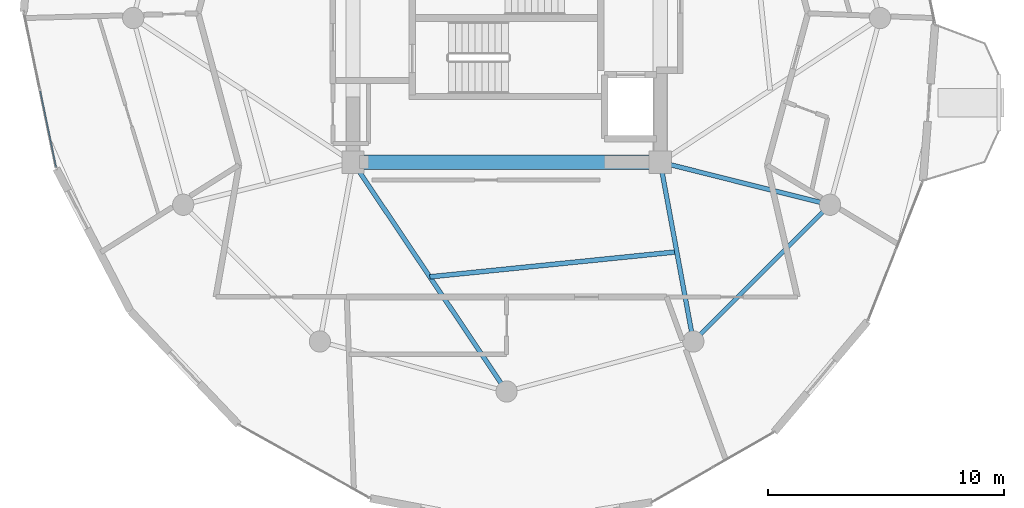
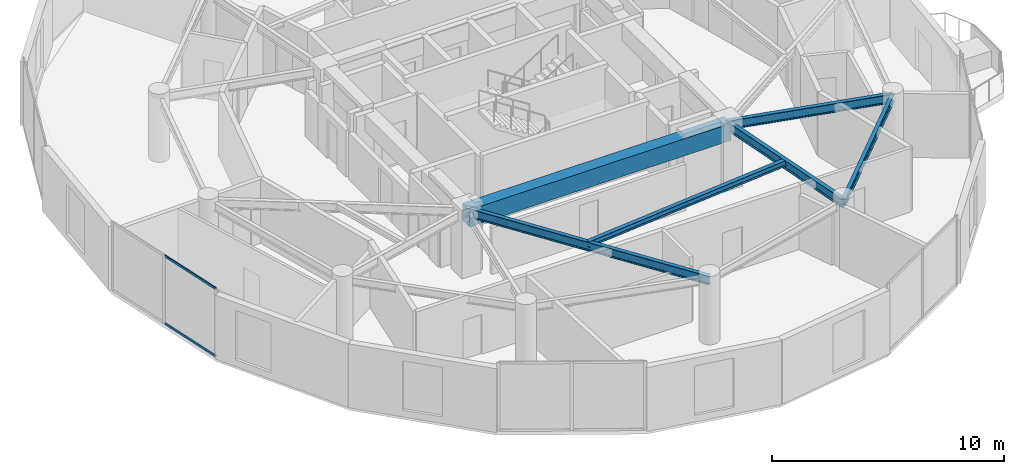
# One storey, part 6 of 21: 6 beams, 2 members, 1 element without a shape of its own.
"""IFC4 building model written with IfcOpenShell, lengths in metres."""

from ifc_helpers import new_model, si_unit, direction, frame, origin, origin_2d, place, context, subcontext, project, spatial, rectangle, hollow_rectangle, i_section, extrude, source, transform, mapped, material, layer, layer_set, material_profile, profile_set, type_object, element, aggregate, save


model = new_model("IFC4")

# Units and contexts
model_context = context("Model", 3, precision=1e-05, world=origin(), true_north=direction((0.0, 1.0)))
body_context = subcontext(model_context, "Body", "Model", "MODEL_VIEW")
ifc_project = project(units=[si_unit("LENGTHUNIT", "METRE"), si_unit("AREAUNIT", "SQUARE_METRE"), si_unit("VOLUMEUNIT", "CUBIC_METRE"), si_unit("PLANEANGLEUNIT", "RADIAN"), si_unit("MASSUNIT", "GRAM", prefix="KILO")], contexts=[model_context])

# Site, building, storey
site_placement = place(None, origin())
site = spatial("IfcSite", under=ifc_project, at=site_placement, CompositionType="ELEMENT")
building_placement = place(site_placement, origin())
building = spatial("IfcBuilding", under=site, at=building_placement, Name="Solvirekh Grand Hotel", CompositionType="ELEMENT")
storey_placement = place(building_placement, frame((0.0, 0.0, 220.0)))
storey = spatial("IfcBuildingStorey", under=building, at=storey_placement, Name="L57", CompositionType="ELEMENT", Elevation=220.0)

# Beams
ifc_material_1 = material(Name="Concrete C50/60", Category="concrete")
ifc_material_profile_1 = material_profile(ifc_material_1, rectangle(XDim=0.60009765625, YDim=0.89990234375, at=origin_2d()), Name="RC BEAM 600X900")
ifc_profile_set_1 = profile_set([ifc_material_profile_1], Name="Concrete C50/60")
beam_type_1 = type_object("IfcBeamType", Name="Beam_Core_RC900", PredefinedType="BEAM", material=ifc_profile_set_1)
beam_1_placement = place(storey_placement, frame((-6.5, -6.10009765625, 2.909912109375), z_axis=(1.0, 0.0, 0.0), x_axis=(0.0, 1.0, 0.0)))
element("IfcBeam", 1, at=beam_1_placement, inside=storey, type_object=beam_type_1, Name="L57 core coupling ring beam 1", PredefinedType="BEAM", context=body_context, shape_type="SweptSolid", body=[
    extrude(rectangle(XDim=0.60009765625, YDim=0.89990234375, at=origin_2d()), origin(), (0.0, 0.0, 1.0), 13.0),
])
ifc_material_2 = material(Name="Steel S355", Category="steel")
ifc_material_profile_2 = material_profile(ifc_material_2, i_section(OverallWidth=0.194091796875, OverallDepth=0.468994140625, WebThickness=0.010986328125, FlangeThickness=0.01904296875, FilletRadius=0.012939453125, at=origin_2d()), Name="W460X106")
ifc_profile_set_2 = profile_set([ifc_material_profile_2], Name="Steel S355")
beam_type_2 = type_object("IfcBeamType", Name="Beam_Radial_W460H", PredefinedType="BEAM", material=ifc_profile_set_2)
beam_2_placement = place(storey_placement, frame((-6.5, -6.10009765625, 3.1259765625), z_axis=(0.556676926176, -0.830729077295, 0.0), x_axis=(0.830729077295, 0.556676926176, 0.0)))
element("IfcBeam", 2, at=beam_2_placement, inside=storey, type_object=beam_type_2, Name="L57 radial floor beam R10", PredefinedType="BEAM", context=body_context, shape_type="SweptSolid", body=[
    extrude(i_section(OverallWidth=0.194091796875, OverallDepth=0.468994140625, WebThickness=0.010986328125, FlangeThickness=0.01904296875, FilletRadius=0.012939453125, at=origin_2d()), origin(), (0.0, 0.0, 1.0), 11.676513671875),
])
beam_3_placement = place(storey_placement, frame((6.5, -6.10009765625, 3.1259765625), z_axis=(0.181542769111, -0.983383049978, 0.0), x_axis=(0.983383049978, 0.181542769111, 0.0)))
element("IfcBeam", 3, at=beam_3_placement, inside=storey, type_object=beam_type_2, Name="L57 radial floor beam R11", PredefinedType="BEAM", context=body_context, shape_type="SweptSolid", body=[
    extrude(i_section(OverallWidth=0.194091796875, OverallDepth=0.468994140625, WebThickness=0.010986328125, FlangeThickness=0.01904296875, FilletRadius=0.012939453125, at=origin_2d()), origin(), (0.0, 0.0, 1.0), 7.711181640625),
])
beam_4_placement = place(storey_placement, frame((6.5, -6.10009765625, 3.1259765625), z_axis=(0.970014367692, -0.243047580675, 0.0), x_axis=(0.243047580675, 0.970014367692, 0.0)))
element("IfcBeam", 4, at=beam_4_placement, inside=storey, type_object=beam_type_2, Name="L57 radial floor beam R12", PredefinedType="BEAM", context=body_context, shape_type="SweptSolid", body=[
    extrude(i_section(OverallWidth=0.194091796875, OverallDepth=0.468994140625, WebThickness=0.010986328125, FlangeThickness=0.01904296875, FilletRadius=0.012939453125, at=origin_2d()), origin(), (0.0, 0.0, 1.0), 7.4052734375),
])
ifc_material_profile_3 = material_profile(ifc_material_2, i_section(OverallWidth=0.202880859375, OverallDepth=0.302978515625, WebThickness=0.008056640625, FlangeThickness=0.012939453125, FilletRadius=0.010009765625, at=origin_2d()), Name="W310X60")
ifc_profile_set_3 = profile_set([ifc_material_profile_3], Name="Steel S355")
beam_type_3 = type_object("IfcBeamType", Name="Joist_Floor_W310", PredefinedType="JOIST", material=ifc_profile_set_3)
beam_5_placement = place(storey_placement, frame((-3.25, -10.949951171875, 3.208984375), z_axis=(0.994915167737, 0.100716478326, 0.0), x_axis=(-0.100716478326, 0.994915167737, 0.0)))
element("IfcBeam", 5, at=beam_5_placement, inside=storey, type_object=beam_type_3, Name="L57 secondary composite floor joist 10", PredefinedType="JOIST", context=body_context, shape_type="SweptSolid", body=[
    extrude(i_section(OverallWidth=0.202880859375, OverallDepth=0.302978515625, WebThickness=0.008056640625, FlangeThickness=0.012939453125, FilletRadius=0.010009765625, at=origin_2d()), origin(), (0.0, 0.0, 1.0), 10.50341796875),
])
ifc_material_profile_4 = material_profile(ifc_material_2, i_section(OverallWidth=0.180908203125, OverallDepth=0.4169921875, WebThickness=0.010009765625, FlangeThickness=0.01611328125, FilletRadius=0.011962890625, at=origin_2d()), Name="W410X85")
ifc_profile_set_4 = profile_set([ifc_material_profile_4], Name="Steel S355")
beam_type_4 = type_object("IfcBeamType", Name="Spandrel_Ring_W410", PredefinedType="SPANDREL", material=ifc_profile_set_4)
beam_6_placement = place(storey_placement, frame((7.89990234375, -13.68310546875, 3.152099609375), z_axis=(0.707106781187, 0.707106781187, 0.0), x_axis=(-0.707106781187, 0.707106781187, 0.0)))
element("IfcBeam", 6, at=beam_6_placement, inside=storey, type_object=beam_type_4, Name="L57 perimeter spandrel beam 11", PredefinedType="SPANDREL", context=body_context, shape_type="SweptSolid", body=[
    extrude(i_section(OverallWidth=0.180908203125, OverallDepth=0.4169921875, WebThickness=0.010009765625, FlangeThickness=0.01611328125, FilletRadius=0.011962890625, at=origin_2d()), origin(), (0.0, 0.0, 1.0), 8.1787109375),
])

# Curtain wall, members
ifc_material_3 = material(Name="Anodized Bronze Aluminium 6063-T6", Category="aluminium")
ifc_layer = layer(ifc_material_3, 0.159912109375)
ifc_layer_set = layer_set([ifc_layer], Name="Anodized Bronze Aluminium 6063-T6")
curtain_wall_type = type_object("IfcCurtainWallType", Name="CW_Sys4_HighZoneFlushBronzeCW", PredefinedType="NOTDEFINED", material=ifc_layer_set)
curtain_wall_placement = place(storey_placement, origin())
curtain_wall = element("IfcCurtainWall", 7, at=curtain_wall_placement, inside=storey, type_object=curtain_wall_type, Name="L57 unitised bronze-glass curtain wall CW-L57-C15", PredefinedType="NOTDEFINED")
ifc_material_profile_5 = material_profile(ifc_material_3, hollow_rectangle(XDim=0.054931640625, YDim=0.1201171875, WallThickness=0.00390625, at=origin_2d()), Name="ALU RHS 120X55X4")
ifc_profile_set_5 = profile_set([ifc_material_profile_5], Name="Anodized Bronze Aluminium 6063-T6")
member_type = type_object("IfcMemberType", Name="CWTransom_Sys4", PredefinedType="USERDEFINED", material=ifc_profile_set_5)
shared_shape = source(origin(), body_context, "Body", "SweptSolid", [
    extrude(hollow_rectangle(XDim=0.054931640625, YDim=0.1201171875, WallThickness=0.00390625, at=origin_2d()), origin(), (0.0, 0.0, 1.0), 3.302734375),
])
member_1_placement = place(storey_placement, frame((-19.732421875, -3.081298828125, 0.027587890625), z_axis=(0.20320442284, -0.979136335011, 0.0), x_axis=(0.979136335011, 0.20320442284, 0.0)))
member_1 = element("IfcMember", 8, at=member_1_placement, type_object=member_type, Name="U04 transom 2.1", ObjectType="TRANSOM", PredefinedType="USERDEFINED", context=body_context, shape_type="MappedRepresentation", body=[
    mapped(shared_shape, transform((0.0, 0.0, 0.0), x_axis=(1.0, 0.0, 0.0), y_axis=(0.0, 1.0, 0.0), z_axis=(0.0, 0.0, 1.0), scale=1.0)),
])
member_2_placement = place(storey_placement, frame((-19.732421875, -3.081298828125, 3.572509765625), z_axis=(0.20320442284, -0.979136335011, 0.0), x_axis=(0.979136335011, 0.20320442284, 0.0)))
member_2 = element("IfcMember", 9, at=member_2_placement, type_object=member_type, Name="U04 transom 2.2", ObjectType="TRANSOM", PredefinedType="USERDEFINED", context=body_context, shape_type="MappedRepresentation", body=[
    mapped(shared_shape, transform((0.0, 0.0, 0.0), x_axis=(1.0, 0.0, 0.0), y_axis=(0.0, 1.0, 0.0), z_axis=(0.0, 0.0, 1.0), scale=1.0)),
])
aggregate(curtain_wall, [member_1, member_2])

save(model, "model.ifc")
